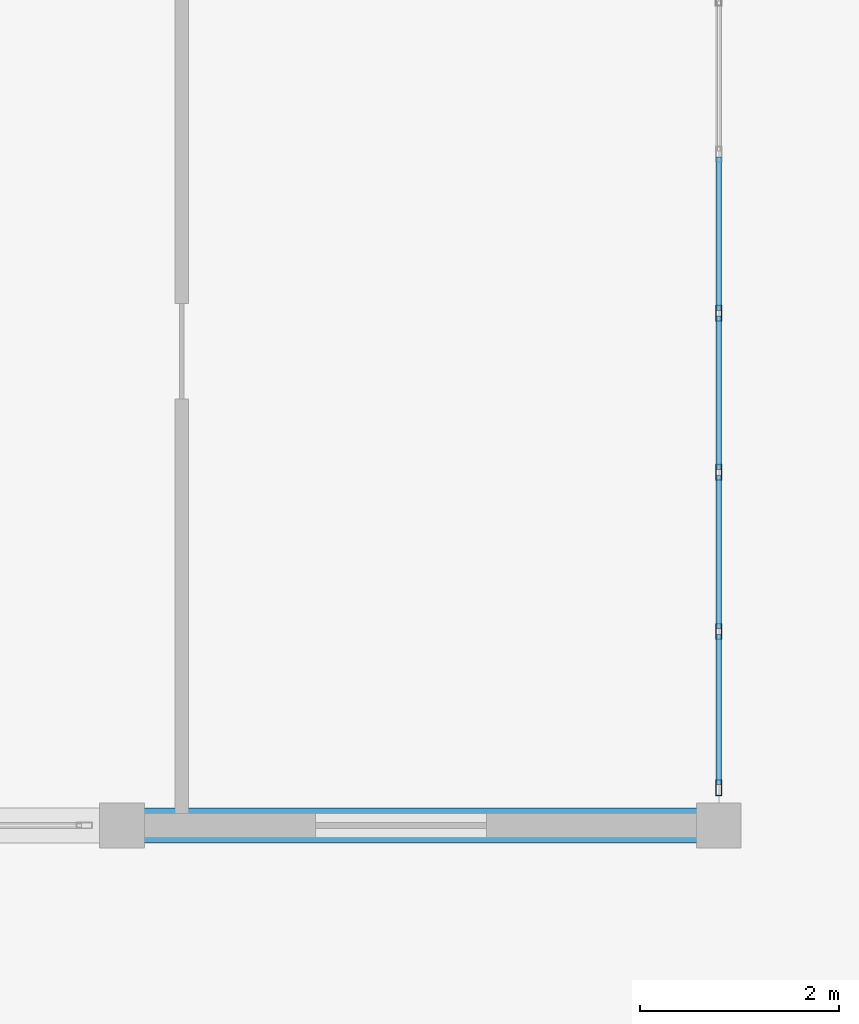
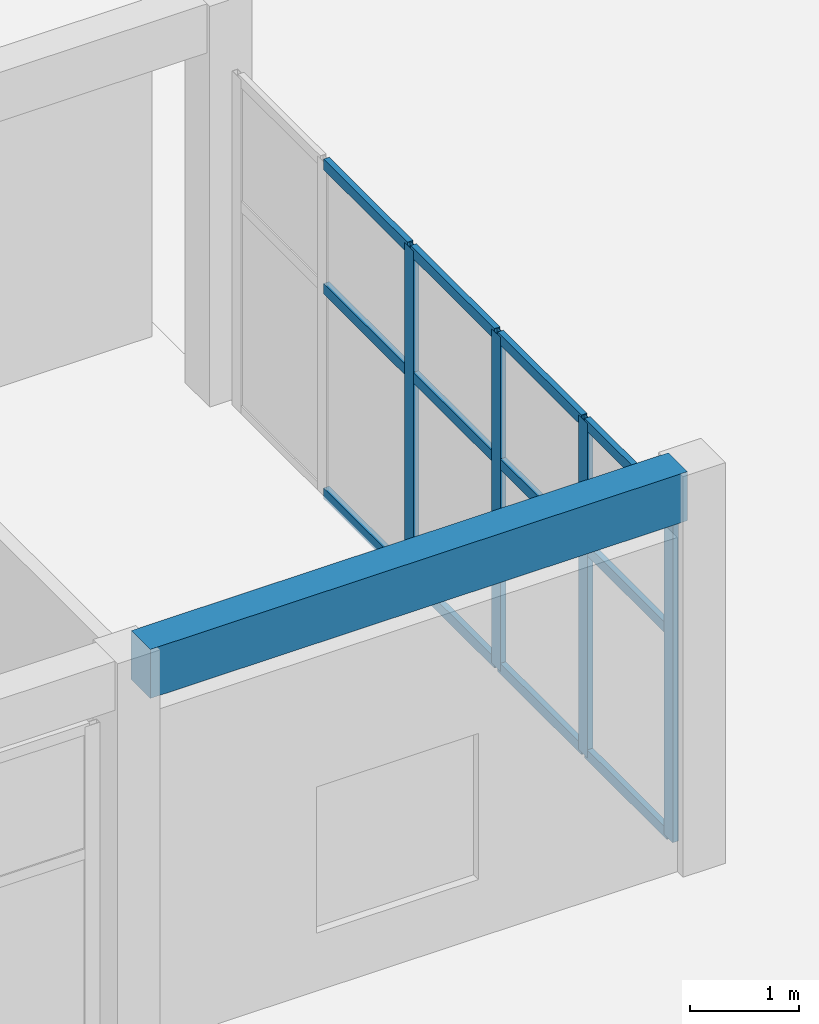
# One storey, part 46 of 132: 16 members, 1 beam, 1 element without a shape of its own.
"""IFC4 building model written with IfcOpenShell, lengths in metres."""

from ifc_helpers import new_model, si_unit, direction, frame, origin, origin_2d, place, context, subcontext, project, spatial, rectangle, hollow_rectangle, extrude, material, material_profile, profile_set, type_object, element, aggregate, save


model = new_model("IFC4")

# Units and contexts
model_context = context("Model", 3, precision=1e-05, world=origin(), true_north=direction((0.0, 1.0)))
body_context = subcontext(model_context, "Body", "Model", "MODEL_VIEW")
ifc_project = project(units=[si_unit("LENGTHUNIT", "METRE"), si_unit("AREAUNIT", "SQUARE_METRE"), si_unit("VOLUMEUNIT", "CUBIC_METRE"), si_unit("PLANEANGLEUNIT", "RADIAN"), si_unit("MASSUNIT", "GRAM", prefix="KILO")], contexts=[model_context])

# Site, building, storey
site_placement = place(None, origin())
site = spatial("IfcSite", under=ifc_project, at=site_placement, CompositionType="ELEMENT")
building_placement = place(site_placement, origin())
building = spatial("IfcBuilding", under=site, at=building_placement, Name="Tanwirah Colonnade Gardens", CompositionType="ELEMENT")
storey_placement = place(building_placement, origin())
storey = spatial("IfcBuildingStorey", under=building, at=storey_placement, Name="L00", CompositionType="ELEMENT", Elevation=0.0)

# Beam
ifc_material_1 = material(Name="Precast concrete C40/50", Category="concrete")
ifc_material_profile_1 = material_profile(ifc_material_1, rectangle(XDim=0.35009765625, YDim=0.550048828125, at=origin_2d()), Name="PC-BM 350x550")
ifc_profile_set_1 = profile_set([ifc_material_profile_1], Name="Precast concrete C40/50")
beam_type = type_object("IfcBeamType", Name="BM-PC350A", PredefinedType="BEAM", material=ifc_profile_set_1)
beam_placement = place(storey_placement, frame((102.14990234375, 92.0, 4.219970703125), z_axis=(1.0, 0.0, 0.0), x_axis=(0.0, 1.0, 0.0)))
element("IfcBeam", 1, at=beam_placement, inside=storey, type_object=beam_type, Name="Nursery L00 Beam X-4.0", PredefinedType="BEAM", context=body_context, shape_type="SweptSolid", body=[
    extrude(rectangle(XDim=0.35009765625, YDim=0.550048828125, at=origin_2d()), origin(), (0.0, 0.0, 1.0), 5.7001953125),
])

# Curtain wall, members
ifc_material_2 = material(Name="Bronze-anodised aluminium and solar-control low-E glass", Category="aluminium")
curtain_wall_type = type_object("IfcCurtainWallType", Name="CW-NUR", PredefinedType="NOTDEFINED", material=ifc_material_2)
curtain_wall_placement = place(storey_placement, origin())
curtain_wall = element("IfcCurtainWall", 2, at=curtain_wall_placement, inside=storey, type_object=curtain_wall_type, Name="Curtain Wall CW-NUR-L00-E-1", PredefinedType="NOTDEFINED")
ifc_material_3 = material(Name="Bronze-anodised aluminium", Category="aluminium")
ifc_material_profile_2 = material_profile(ifc_material_3, hollow_rectangle(XDim=0.06005859375, YDim=0.159912109375, WallThickness=0.00390625, at=origin_2d()), Name="CW-MUL 60x160x4")
ifc_profile_set_2 = profile_set([ifc_material_profile_2], Name="Bronze-anodised aluminium")
member_type_1 = type_object("IfcMemberType", Name="CWM-60x160", PredefinedType="MULLION", material=ifc_profile_set_2)
member_1_placement = place(storey_placement, frame((108.0, 92.3798828125, 0.0), z_axis=(0.0, 0.0, 1.0), x_axis=(-1.0, 0.0, 0.0)))
member_1 = element("IfcMember", 3, at=member_1_placement, type_object=member_type_1, Name="CW-NUR mullion 1", PredefinedType="MULLION", context=body_context, shape_type="SweptSolid", body=[
    extrude(hollow_rectangle(XDim=0.06005859375, YDim=0.159912109375, WallThickness=0.00390625, at=origin_2d()), origin(), (0.0, 0.0, 1.0), 3.75),
])
member_2_placement = place(storey_placement, frame((108.0, 93.949951171875, 0.0), z_axis=(0.0, 0.0, 1.0), x_axis=(-1.0, 0.0, 0.0)))
member_2 = element("IfcMember", 4, at=member_2_placement, type_object=member_type_1, Name="CW-NUR mullion 2", PredefinedType="MULLION", context=body_context, shape_type="SweptSolid", body=[
    extrude(hollow_rectangle(XDim=0.06005859375, YDim=0.159912109375, WallThickness=0.00390625, at=origin_2d()), origin(), (0.0, 0.0, 1.0), 3.75),
])
member_3_placement = place(storey_placement, frame((108.0, 95.550048828125, 0.0), z_axis=(0.0, 0.0, 1.0), x_axis=(-1.0, 0.0, 0.0)))
member_3 = element("IfcMember", 5, at=member_3_placement, type_object=member_type_1, Name="CW-NUR mullion 3", PredefinedType="MULLION", context=body_context, shape_type="SweptSolid", body=[
    extrude(hollow_rectangle(XDim=0.06005859375, YDim=0.159912109375, WallThickness=0.00390625, at=origin_2d()), origin(), (0.0, 0.0, 1.0), 3.75),
])
member_4_placement = place(storey_placement, frame((108.0, 97.14990234375, 0.0), z_axis=(0.0, 0.0, 1.0), x_axis=(-1.0, 0.0, 0.0)))
member_4 = element("IfcMember", 6, at=member_4_placement, type_object=member_type_1, Name="CW-NUR mullion 4", PredefinedType="MULLION", context=body_context, shape_type="SweptSolid", body=[
    extrude(hollow_rectangle(XDim=0.06005859375, YDim=0.159912109375, WallThickness=0.00390625, at=origin_2d()), origin(), (0.0, 0.0, 1.0), 3.75),
])
ifc_material_profile_3 = material_profile(ifc_material_3, hollow_rectangle(XDim=0.06005859375, YDim=0.1201171875, WallThickness=0.00390625, at=origin_2d()), Name="CW-TRN 60x120x4")
ifc_profile_set_3 = profile_set([ifc_material_profile_3], Name="Bronze-anodised aluminium")
member_type_2 = type_object("IfcMemberType", Name="CWT-60x120", PredefinedType="USERDEFINED", material=ifc_profile_set_3)
member_5_placement = place(storey_placement, frame((108.0, 92.409912109375, 0.030029296875), z_axis=(0.0, 1.0, 0.0), x_axis=(-1.0, 0.0, 0.0)))
member_5 = element("IfcMember", 7, at=member_5_placement, type_object=member_type_2, Name="CW-NUR transom 1.1", ObjectType="TRANSOM", PredefinedType="USERDEFINED", context=body_context, shape_type="SweptSolid", body=[
    extrude(hollow_rectangle(XDim=0.06005859375, YDim=0.1201171875, WallThickness=0.00390625, at=origin_2d()), origin(), (0.0, 0.0, 1.0), 1.510009765625),
])
member_6_placement = place(storey_placement, frame((108.0, 92.409912109375, 2.324951171875), z_axis=(0.0, 1.0, 0.0), x_axis=(-1.0, 0.0, 0.0)))
member_6 = element("IfcMember", 8, at=member_6_placement, type_object=member_type_2, Name="CW-NUR transom 1.2", ObjectType="TRANSOM", PredefinedType="USERDEFINED", context=body_context, shape_type="SweptSolid", body=[
    extrude(hollow_rectangle(XDim=0.06005859375, YDim=0.1201171875, WallThickness=0.00390625, at=origin_2d()), origin(), (0.0, 0.0, 1.0), 1.510009765625),
])
member_7_placement = place(storey_placement, frame((108.0, 92.409912109375, 3.719970703125), z_axis=(0.0, 1.0, 0.0), x_axis=(-1.0, 0.0, 0.0)))
member_7 = element("IfcMember", 9, at=member_7_placement, type_object=member_type_2, Name="CW-NUR transom 1.3", ObjectType="TRANSOM", PredefinedType="USERDEFINED", context=body_context, shape_type="SweptSolid", body=[
    extrude(hollow_rectangle(XDim=0.06005859375, YDim=0.1201171875, WallThickness=0.00390625, at=origin_2d()), origin(), (0.0, 0.0, 1.0), 1.510009765625),
])
member_8_placement = place(storey_placement, frame((108.0, 93.97998046875, 0.030029296875), z_axis=(0.0, 1.0, 0.0), x_axis=(-1.0, 0.0, 0.0)))
member_8 = element("IfcMember", 10, at=member_8_placement, type_object=member_type_2, Name="CW-NUR transom 2.1", ObjectType="TRANSOM", PredefinedType="USERDEFINED", context=body_context, shape_type="SweptSolid", body=[
    extrude(hollow_rectangle(XDim=0.06005859375, YDim=0.1201171875, WallThickness=0.00390625, at=origin_2d()), origin(), (0.0, 0.0, 1.0), 1.5400390625),
])
member_9_placement = place(storey_placement, frame((108.0, 93.97998046875, 2.324951171875), z_axis=(0.0, 1.0, 0.0), x_axis=(-1.0, 0.0, 0.0)))
member_9 = element("IfcMember", 11, at=member_9_placement, type_object=member_type_2, Name="CW-NUR transom 2.2", ObjectType="TRANSOM", PredefinedType="USERDEFINED", context=body_context, shape_type="SweptSolid", body=[
    extrude(hollow_rectangle(XDim=0.06005859375, YDim=0.1201171875, WallThickness=0.00390625, at=origin_2d()), origin(), (0.0, 0.0, 1.0), 1.5400390625),
])
member_10_placement = place(storey_placement, frame((108.0, 93.97998046875, 3.719970703125), z_axis=(0.0, 1.0, 0.0), x_axis=(-1.0, 0.0, 0.0)))
member_10 = element("IfcMember", 12, at=member_10_placement, type_object=member_type_2, Name="CW-NUR transom 2.3", ObjectType="TRANSOM", PredefinedType="USERDEFINED", context=body_context, shape_type="SweptSolid", body=[
    extrude(hollow_rectangle(XDim=0.06005859375, YDim=0.1201171875, WallThickness=0.00390625, at=origin_2d()), origin(), (0.0, 0.0, 1.0), 1.5400390625),
])
member_11_placement = place(storey_placement, frame((108.0, 95.580078125, 0.030029296875), z_axis=(0.0, 1.0, 0.0), x_axis=(-1.0, 0.0, 0.0)))
member_11 = element("IfcMember", 13, at=member_11_placement, type_object=member_type_2, Name="CW-NUR transom 3.1", ObjectType="TRANSOM", PredefinedType="USERDEFINED", context=body_context, shape_type="SweptSolid", body=[
    extrude(hollow_rectangle(XDim=0.06005859375, YDim=0.1201171875, WallThickness=0.00390625, at=origin_2d()), origin(), (0.0, 0.0, 1.0), 1.5400390625),
])
member_12_placement = place(storey_placement, frame((108.0, 95.580078125, 2.324951171875), z_axis=(0.0, 1.0, 0.0), x_axis=(-1.0, 0.0, 0.0)))
member_12 = element("IfcMember", 14, at=member_12_placement, type_object=member_type_2, Name="CW-NUR transom 3.2", ObjectType="TRANSOM", PredefinedType="USERDEFINED", context=body_context, shape_type="SweptSolid", body=[
    extrude(hollow_rectangle(XDim=0.06005859375, YDim=0.1201171875, WallThickness=0.00390625, at=origin_2d()), origin(), (0.0, 0.0, 1.0), 1.5400390625),
])
member_13_placement = place(storey_placement, frame((108.0, 95.580078125, 3.719970703125), z_axis=(0.0, 1.0, 0.0), x_axis=(-1.0, 0.0, 0.0)))
member_13 = element("IfcMember", 15, at=member_13_placement, type_object=member_type_2, Name="CW-NUR transom 3.3", ObjectType="TRANSOM", PredefinedType="USERDEFINED", context=body_context, shape_type="SweptSolid", body=[
    extrude(hollow_rectangle(XDim=0.06005859375, YDim=0.1201171875, WallThickness=0.00390625, at=origin_2d()), origin(), (0.0, 0.0, 1.0), 1.5400390625),
])
member_14_placement = place(storey_placement, frame((108.0, 97.179931640625, 0.030029296875), z_axis=(0.0, 1.0, 0.0), x_axis=(-1.0, 0.0, 0.0)))
member_14 = element("IfcMember", 16, at=member_14_placement, type_object=member_type_2, Name="CW-NUR transom 4.1", ObjectType="TRANSOM", PredefinedType="USERDEFINED", context=body_context, shape_type="SweptSolid", body=[
    extrude(hollow_rectangle(XDim=0.06005859375, YDim=0.1201171875, WallThickness=0.00390625, at=origin_2d()), origin(), (0.0, 0.0, 1.0), 1.5400390625),
])
member_15_placement = place(storey_placement, frame((108.0, 97.179931640625, 2.324951171875), z_axis=(0.0, 1.0, 0.0), x_axis=(-1.0, 0.0, 0.0)))
member_15 = element("IfcMember", 17, at=member_15_placement, type_object=member_type_2, Name="CW-NUR transom 4.2", ObjectType="TRANSOM", PredefinedType="USERDEFINED", context=body_context, shape_type="SweptSolid", body=[
    extrude(hollow_rectangle(XDim=0.06005859375, YDim=0.1201171875, WallThickness=0.00390625, at=origin_2d()), origin(), (0.0, 0.0, 1.0), 1.5400390625),
])
member_16_placement = place(storey_placement, frame((108.0, 97.179931640625, 3.719970703125), z_axis=(0.0, 1.0, 0.0), x_axis=(-1.0, 0.0, 0.0)))
member_16 = element("IfcMember", 18, at=member_16_placement, type_object=member_type_2, Name="CW-NUR transom 4.3", ObjectType="TRANSOM", PredefinedType="USERDEFINED", context=body_context, shape_type="SweptSolid", body=[
    extrude(hollow_rectangle(XDim=0.06005859375, YDim=0.1201171875, WallThickness=0.00390625, at=origin_2d()), origin(), (0.0, 0.0, 1.0), 1.5400390625),
])
aggregate(curtain_wall, [member_1, member_2, member_3, member_4, member_5, member_6, member_7, member_8, member_9, member_10, member_11, member_12, member_13, member_14, member_15, member_16])

save(model, "model.ifc")
